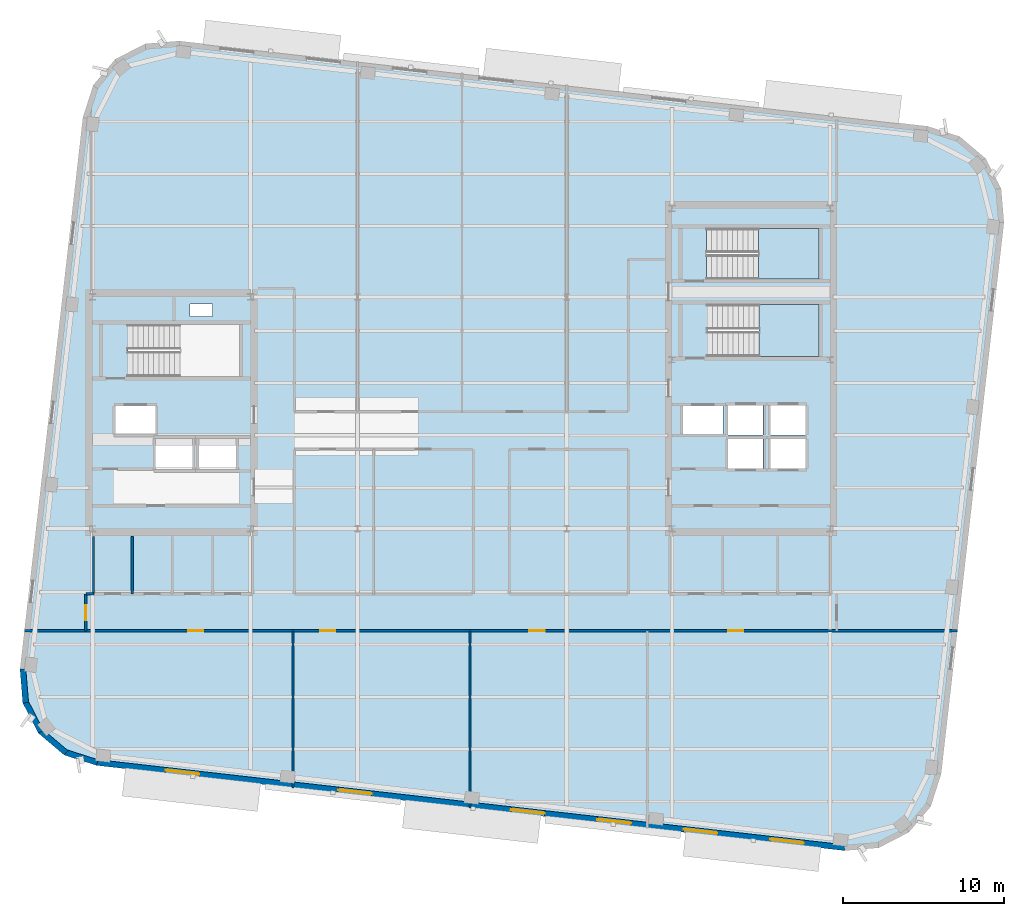
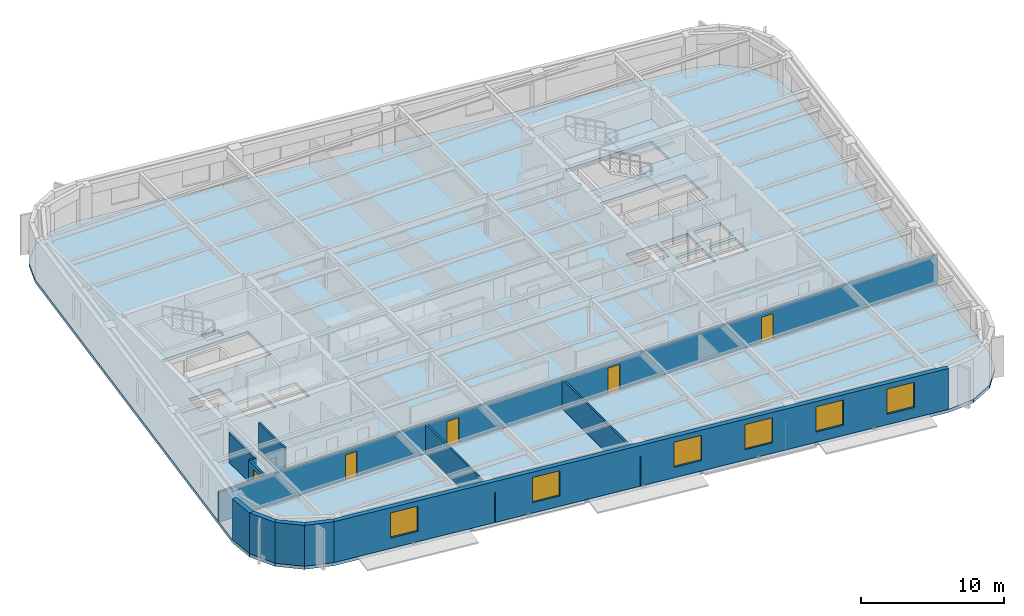
# One storey, part 5 of 14: 12 walls, 6 windows, 5 doors, 3 slabs, 11 openings, 2 elements without a shape of their own.
"""IFC4 building model written with IfcOpenShell, lengths in metres."""

from ifc_helpers import new_model, si_unit, direction, frame, frame_2d, origin, place, context, subcontext, project, spatial, polyline, rectangle, outline, extrude, material, layer, layer_set, type_object, element, fill, aggregate, save


model = new_model("IFC4")

# Units and contexts
model_context = context("Model", 3, precision=1e-05, world=origin(), true_north=direction((0.0, 1.0)))
body_context = subcontext(model_context, "Body", "Model", "MODEL_VIEW")
ifc_project = project(units=[si_unit("LENGTHUNIT", "METRE"), si_unit("AREAUNIT", "SQUARE_METRE"), si_unit("VOLUMEUNIT", "CUBIC_METRE"), si_unit("PLANEANGLEUNIT", "RADIAN"), si_unit("MASSUNIT", "GRAM", prefix="KILO")], contexts=[model_context])

# Site, building, storey
site_placement = place(None, origin())
site = spatial("IfcSite", under=ifc_project, at=site_placement, CompositionType="ELEMENT")
building_placement = place(site_placement, origin())
building = spatial("IfcBuilding", under=site, at=building_placement, Name="Kolvaren Arena Tower", CompositionType="ELEMENT")
storey_placement = place(building_placement, frame((0.0, 0.0, 224.699951171875)))
storey = spatial("IfcBuildingStorey", under=building, at=storey_placement, Name="L54", CompositionType="ELEMENT", Elevation=224.699951171875)

# Stair, slab
ifc_material_1 = material(Name="Concrete 45 MPa", Category="concrete")
stair_type_1 = type_object("IfcStairType", Name="STAIR-CORE-165", PredefinedType="HALF_TURN_STAIR", material=ifc_material_1)
stair_1_placement = place(storey_placement, origin())
stair_1 = element("IfcStair", 1, at=stair_1_placement, inside=storey, type_object=stair_type_1, Name="L54 ST-E1", PredefinedType="HALF_TURN_STAIR")
ifc_layer_1 = layer(ifc_material_1, 0.199951171875)
ifc_layer_set_1 = layer_set([ifc_layer_1], Name="Concrete 45 MPa")
slab_type_1 = type_object("IfcSlabType", Name="SLAB-LAND", PredefinedType="LANDING", material=ifc_layer_set_1)
slab_1_placement = place(storey_placement, frame((0.0, 0.0, 1.675048828125)))
slab_1 = element("IfcSlab", 2, at=slab_1_placement, type_object=slab_type_1, Name="ST-E1 landing 1", PredefinedType="LANDING", context=body_context, shape_type="SweptSolid", body=[
    extrude(outline(polyline([(55.9599609375, 30.14990234375), (59.659912109375, 30.14990234375), (59.659912109375, 33.3798828125), (55.9599609375, 33.3798828125), (55.9599609375, 30.14990234375)])), origin(), (0.0, 0.0, 1.0), 0.199951171875),
])
aggregate(stair_1, [slab_1])

stair_type_2 = type_object("IfcStairType", Name="STAIR-CORE-150", PredefinedType="HALF_TURN_STAIR", material=ifc_material_1)
stair_2_placement = place(storey_placement, origin())
stair_2 = element("IfcStair", 3, at=stair_2_placement, inside=storey, type_object=stair_type_2, Name="L54 ST-E2", PredefinedType="HALF_TURN_STAIR")
slab_2_placement = place(storey_placement, frame((0.0, 0.0, 1.675048828125)))
slab_2 = element("IfcSlab", 4, at=slab_2_placement, type_object=slab_type_1, Name="ST-E2 landing 1", PredefinedType="LANDING", context=body_context, shape_type="SweptSolid", body=[
    extrude(outline(polyline([(55.919921875, 34.949951171875), (59.659912109375, 34.949951171875), (59.659912109375, 38.10009765625), (55.919921875, 38.10009765625), (55.919921875, 34.949951171875)])), origin(), (0.0, 0.0, 1.0), 0.199951171875),
])
aggregate(stair_2, [slab_2])

# Slab
ifc_layer_2 = layer(ifc_material_1, 0.27001953125)
ifc_layer_set_2 = layer_set([ifc_layer_2], Name="Concrete 45 MPa")
slab_type_2 = type_object("IfcSlabType", Name="SLAB-OFF2", PredefinedType="FLOOR", material=ifc_layer_set_2)
slab_3_placement = place(storey_placement, frame((0.0, 0.0, -0.27001953125)))
element("IfcSlab", 5, at=slab_3_placement, inside=storey, type_object=slab_type_2, Name="L54 Primary Structural Slab", PredefinedType="FLOOR", context=body_context, shape_type="SweptSolid", body=[
    extrude(outline(polyline([(61.285400390625, -0.553466796875), (63.38525390625, -0.37890625), (65.25830078125, 0.585693359375), (66.619873046875, 2.194091796875), (67.26220703125, 4.20068359375), (71.16748046875, 38.47900390625), (70.9931640625, 40.57861328125), (70.0283203125, 42.45166015625), (68.42041015625, 43.81298828125), (66.41357421875, 44.455322265625), (19.91455078125, 49.75341796875), (17.814697265625, 49.578857421875), (15.941650390625, 48.6142578125), (14.580078125, 47.006103515625), (13.93798828125, 44.99951171875), (10.032470703125, 10.72119140625), (10.206787109375, 8.621337890625), (11.171630859375, 6.748291015625), (12.77978515625, 5.386962890625), (14.786376953125, 4.74462890625), (61.285400390625, -0.553466796875)]), holes=[polyline([(20.739990234375, 23.135009765625), (18.4599609375, 23.135009765625), (18.4599609375, 25.06494140625), (20.739990234375, 25.06494140625), (20.739990234375, 23.135009765625)]), polyline([(21.159912109375, 23.135009765625), (21.159912109375, 25.06494140625), (23.43994140625, 25.06494140625), (23.43994140625, 23.135009765625), (21.159912109375, 23.135009765625)]), polyline([(56.2099609375, 23.18505859375), (54.030029296875, 23.18505859375), (54.030029296875, 25.014892578125), (56.2099609375, 25.014892578125), (56.2099609375, 23.18505859375)]), polyline([(56.669921875, 23.18505859375), (56.669921875, 25.014892578125), (58.85009765625, 25.014892578125), (58.85009765625, 23.18505859375), (56.669921875, 23.18505859375)]), polyline([(54.030029296875, 25.284912109375), (54.030029296875, 27.114990234375), (56.2099609375, 27.114990234375), (56.2099609375, 25.284912109375), (54.030029296875, 25.284912109375)]), polyline([(58.85009765625, 25.284912109375), (56.669921875, 25.284912109375), (56.669921875, 27.114990234375), (58.85009765625, 27.114990234375), (58.85009765625, 25.284912109375)]), polyline([(15.9599609375, 25.3349609375), (15.9599609375, 27.06494140625), (18.43994140625, 27.06494140625), (18.43994140625, 25.3349609375), (15.9599609375, 25.3349609375)]), polyline([(53.699951171875, 25.3349609375), (51.219970703125, 25.3349609375), (51.219970703125, 27.06494140625), (53.699951171875, 27.06494140625), (53.699951171875, 25.3349609375)]), polyline([(16.735107421875, 28.89990234375), (16.735107421875, 32.1298828125), (23.659912109375, 32.1298828125), (23.659912109375, 28.89990234375), (16.735107421875, 28.89990234375)]), polyline([(52.735107421875, 30.14990234375), (52.735107421875, 33.3798828125), (59.659912109375, 33.3798828125), (59.659912109375, 30.14990234375), (52.735107421875, 30.14990234375)]), polyline([(20.60009765625, 32.6201171875), (20.60009765625, 33.39990234375), (22.0, 33.39990234375), (22.0, 32.6201171875), (20.60009765625, 32.6201171875)]), polyline([(52.695068359375, 34.949951171875), (52.695068359375, 38.10009765625), (59.659912109375, 38.10009765625), (59.659912109375, 34.949951171875), (52.695068359375, 34.949951171875)])]), origin(), (0.0, 0.0, 1.0), 0.27001953125),
])

# Wall, openings, doors
ifc_material_2 = material(Name="Gypsum board acoustic assembly", Category="gypsum")
ifc_layer_3 = layer(ifc_material_2, 0.159912109375)
ifc_layer_set_3 = layer_set([ifc_layer_3], Name="Gypsum board acoustic assembly")
wall_type_1 = type_object("IfcWallType", Name="CORR-160", PredefinedType="PARTITIONING", material=ifc_layer_set_3)
wall_1_placement = place(storey_placement, frame((10.303466796875, 13.10009765625, 0.0), z_axis=(0.0, 0.0, 1.0), x_axis=(1.0, 0.0, 0.0)))
wall_1 = element("IfcWall", 6, at=wall_1_placement, inside=storey, type_object=wall_type_1, Name="Interior Partition Wall (L54)", PredefinedType="PARTITIONING", context=body_context, shape_type="SweptSolid", body=[
    extrude(rectangle(XDim=57.97265625, YDim=0.159912109375, at=frame_2d((28.986328125, 0.0))), origin(), (0.0, 0.0, 1.0), 2.5400390625),
])
opening_1_placement = place(wall_1_placement, frame((10.171630859375, 0.0, 0.0)))
opening_1 = element("IfcOpeningElement", 7, at=opening_1_placement, cuts=wall_1, Name="Opening D05", PredefinedType="OPENING", context=body_context, shape_type="SweptSolid", body=[
    extrude(rectangle(XDim=0.949951171875, YDim=2.14990234375, at=frame_2d((0.47509765625, 1.074951171875))), frame((0.0, 0.08984375, 0.0), z_axis=(0.0, -1.0, 0.0), x_axis=(1.0, 0.0, 0.0)), (0.0, 0.0, 1.0), 0.179931640625),
])
opening_2_placement = place(wall_1_placement, frame((18.37158203125, 0.0, 0.0)))
opening_2 = element("IfcOpeningElement", 8, at=opening_2_placement, cuts=wall_1, Name="Opening D05", PredefinedType="OPENING", context=body_context, shape_type="SweptSolid", body=[
    extrude(rectangle(XDim=0.949951171875, YDim=2.14990234375, at=frame_2d((0.47509765625, 1.074951171875))), frame((0.0, 0.08984375, 0.0), z_axis=(0.0, -1.0, 0.0), x_axis=(1.0, 0.0, 0.0)), (0.0, 0.0, 1.0), 0.179931640625),
])
opening_3_placement = place(wall_1_placement, frame((31.37158203125, 0.0, 0.0)))
opening_3 = element("IfcOpeningElement", 9, at=opening_3_placement, cuts=wall_1, Name="Opening D05", PredefinedType="OPENING", context=body_context, shape_type="SweptSolid", body=[
    extrude(rectangle(XDim=0.949951171875, YDim=2.14990234375, at=frame_2d((0.47509765625, 1.074951171875))), frame((0.0, 0.08984375, 0.0), z_axis=(0.0, -1.0, 0.0), x_axis=(1.0, 0.0, 0.0)), (0.0, 0.0, 1.0), 0.179931640625),
])
opening_4_placement = place(wall_1_placement, frame((43.7216796875, 0.0, 0.0)))
opening_4 = element("IfcOpeningElement", 10, at=opening_4_placement, cuts=wall_1, Name="Opening D05", PredefinedType="OPENING", context=body_context, shape_type="SweptSolid", body=[
    extrude(rectangle(XDim=0.949951171875, YDim=2.14990234375, at=frame_2d((0.47509765625, 1.074951171875))), frame((0.0, 0.08984375, 0.0), z_axis=(0.0, -1.0, 0.0), x_axis=(1.0, 0.0, 0.0)), (0.0, 0.0, 1.0), 0.179931640625),
])
ifc_material_3 = material(Name="Solid-core oak acoustic office door", Category="wood")
door_type = type_object("IfcDoorType", Name="DOOR-OF-095", OperationType="NOTDEFINED", PredefinedType="DOOR", material=ifc_material_3)
door_1_placement = place(opening_1_placement, origin())
door_1 = element("IfcDoor", 11, at=door_1_placement, inside=storey, type_object=door_type, Name="Executive Office Door (L54)", OperationType="SINGLE_SWING_RIGHT", OverallHeight=2.14990234375, OverallWidth=0.949951171875, PredefinedType="DOOR", context=body_context, shape_type="SweptSolid", body=[
    extrude(rectangle(XDim=0.949951171875, YDim=2.14990234375, at=frame_2d((0.47509765625, 1.074951171875))), frame((0.0, 0.02490234375, 0.0), z_axis=(0.0, -1.0, 0.0), x_axis=(1.0, 0.0, 0.0)), (0.0, 0.0, 1.0), 0.050048828125),
])
fill(opening_1, door_1)
door_2_placement = place(opening_2_placement, origin())
door_2 = element("IfcDoor", 12, at=door_2_placement, inside=storey, type_object=door_type, Name="Executive Office Door (L54)", OperationType="SINGLE_SWING_LEFT", OverallHeight=2.14990234375, OverallWidth=0.949951171875, PredefinedType="DOOR", context=body_context, shape_type="SweptSolid", body=[
    extrude(rectangle(XDim=0.949951171875, YDim=2.14990234375, at=frame_2d((0.47509765625, 1.074951171875))), frame((0.0, 0.02490234375, 0.0), z_axis=(0.0, -1.0, 0.0), x_axis=(1.0, 0.0, 0.0)), (0.0, 0.0, 1.0), 0.050048828125),
])
fill(opening_2, door_2)
door_3_placement = place(opening_3_placement, origin())
door_3 = element("IfcDoor", 13, at=door_3_placement, inside=storey, type_object=door_type, Name="Open Plan Office Door (L54)", OperationType="SINGLE_SWING_RIGHT", OverallHeight=2.14990234375, OverallWidth=0.949951171875, PredefinedType="DOOR", context=body_context, shape_type="SweptSolid", body=[
    extrude(rectangle(XDim=0.949951171875, YDim=2.14990234375, at=frame_2d((0.47509765625, 1.074951171875))), frame((0.0, 0.02490234375, 0.0), z_axis=(0.0, -1.0, 0.0), x_axis=(1.0, 0.0, 0.0)), (0.0, 0.0, 1.0), 0.050048828125),
])
fill(opening_3, door_3)
door_4_placement = place(opening_4_placement, origin())
door_4 = element("IfcDoor", 14, at=door_4_placement, inside=storey, type_object=door_type, Name="Corporate Project Office Door (L54)", OperationType="SINGLE_SWING_LEFT", OverallHeight=2.14990234375, OverallWidth=0.949951171875, PredefinedType="DOOR", context=body_context, shape_type="SweptSolid", body=[
    extrude(rectangle(XDim=0.949951171875, YDim=2.14990234375, at=frame_2d((0.47509765625, 1.074951171875))), frame((0.0, 0.02490234375, 0.0), z_axis=(0.0, -1.0, 0.0), x_axis=(1.0, 0.0, 0.0)), (0.0, 0.0, 1.0), 0.050048828125),
])
fill(opening_4, door_4)

# Wall, opening, door
wall_2_placement = place(storey_placement, frame((14.1201171875, 13.10009765625, 0.0), z_axis=(0.0, 0.0, 1.0), x_axis=(0.0, 1.0, 0.0)))
wall_2 = element("IfcWall", 15, at=wall_2_placement, inside=storey, type_object=wall_type_1, Name="Interior Partition Wall (L54)", PredefinedType="PARTITIONING", context=body_context, shape_type="SweptSolid", body=[
    extrude(rectangle(XDim=2.2998046875, YDim=0.159912109375, at=frame_2d((1.14990234375, 0.0))), origin(), (0.0, 0.0, 1.0), 2.5400390625),
])
opening_5_placement = place(wall_2_placement, frame((0.64990234375, 0.0, 0.0)))
opening_5 = element("IfcOpeningElement", 16, at=opening_5_placement, cuts=wall_2, Name="Opening D05", PredefinedType="OPENING", context=body_context, shape_type="SweptSolid", body=[
    extrude(rectangle(XDim=0.949951171875, YDim=2.14990234375, at=frame_2d((0.47509765625, 1.074951171875))), frame((0.0, 0.08984375, 0.0), z_axis=(0.0, -1.0, 0.0), x_axis=(1.0, 0.0, 0.0)), (0.0, 0.0, 1.0), 0.179931640625),
])
door_5_placement = place(opening_5_placement, origin())
door_5 = element("IfcDoor", 17, at=door_5_placement, inside=storey, type_object=door_type, Name="West Wing Office Door (L54)", OperationType="SINGLE_SWING_LEFT", OverallHeight=2.14990234375, OverallWidth=0.949951171875, PredefinedType="DOOR", context=body_context, shape_type="SweptSolid", body=[
    extrude(rectangle(XDim=0.949951171875, YDim=2.14990234375, at=frame_2d((0.47509765625, 1.074951171875))), frame((0.0, 0.02490234375, 0.0), z_axis=(0.0, -1.0, 0.0), x_axis=(1.0, 0.0, 0.0)), (0.0, 0.0, 1.0), 0.050048828125),
])
fill(opening_5, door_5)

# Walls
wall_3_placement = place(storey_placement, frame((14.1201171875, 15.39990234375, 0.0), z_axis=(0.0, 0.0, 1.0), x_axis=(1.0, 0.0, 0.0)))
element("IfcWall", 18, at=wall_3_placement, inside=storey, type_object=wall_type_1, Name="Interior Partition Wall (L54)", PredefinedType="PARTITIONING", context=body_context, shape_type="SweptSolid", body=[
    extrude(rectangle(XDim=0.5, YDim=0.159912109375, at=frame_2d((0.25, 0.0))), origin(), (0.0, 0.0, 1.0), 2.5400390625),
])
ifc_material_4 = material(Name="Precast concrete C50/60", Category="concrete")
ifc_layer_4 = layer(ifc_material_4, 0.360107421875)
ifc_layer_set_4 = layer_set([ifc_layer_4], Name="Precast concrete C50/60")
wall_type_2 = type_object("IfcWallType", Name="EXT-PIER2", PredefinedType="SOLIDWALL", material=ifc_layer_set_4)
wall_4_placement = place(storey_placement, frame((10.38623046875, 8.63623046875, 0.0), z_axis=(0.0, 0.0, 1.0), x_axis=(-0.082729038891, 0.996572077737, 0.0)))
element("IfcWall", 19, at=wall_4_placement, inside=storey, type_object=wall_type_2, Name="Exterior Precast Masonry-Frame Wall (L54)", PredefinedType="SOLIDWALL", context=body_context, shape_type="SweptSolid", body=[
    extrude(rectangle(XDim=2.107177734375, YDim=0.360107421875, at=frame_2d((1.0537109375, 0.0))), origin(), (0.0, 0.0, 1.0), 3.47998046875),
])
for number, where, z_axis, x_axis, name in (
    (20, (11.33154296875, 6.830810546875, 0.0), (0.0, 0.0, 1.0), (-0.457934390142, 0.888985992199, 0.0), "Exterior Precast Masonry-Frame Wall (L54)"),
    (21, (12.89599609375, 5.5244140625, 0.0), (0.0, 0.0, 1.0), (-0.763250018691, 0.646103249464, 0.0), "Exterior Precast Masonry-Frame Wall (L54)"),
    (22, (14.84130859375, 4.916015625, 0.0), (0.0, 0.0, 1.0), (-0.952393196904, 0.304872429864, 0.0), "Exterior Precast Masonry-Frame Wall (L54)"),
):
    element("IfcWall", number, at=place(storey_placement, frame(where, z_axis=z_axis, x_axis=x_axis)), inside=storey, type_object=wall_type_2, Name=name, PredefinedType="SOLIDWALL", context=body_context, shape_type="SweptSolid", body=[
        extrude(rectangle(XDim=2.10693359375, YDim=0.360107421875, at=frame_2d((1.053466796875, 0.0))), origin(), (0.0, 0.0, 1.0), 3.47998046875),
    ])

# Wall, openings, windows
wall_5_placement = place(storey_placement, frame((61.305908203125, -0.37451171875, 0.0), z_axis=(0.0, 0.0, 1.0), x_axis=(-0.993571958919, 0.113202307616, 0.0)))
wall_5 = element("IfcWall", 23, at=wall_5_placement, inside=storey, type_object=wall_type_2, Name="Exterior Precast Masonry-Frame Wall (L54)", PredefinedType="SOLIDWALL", context=body_context, shape_type="SweptSolid", body=[
    extrude(rectangle(XDim=46.7998046875, YDim=0.360107421875, at=frame_2d((23.39990234375, 0.0))), origin(), (0.0, 0.0, 1.0), 3.47998046875),
])
opening_6_placement = place(wall_5_placement, frame((2.60009765625, 0.0, 0.8798828125)))
opening_6 = element("IfcOpeningElement", 24, at=opening_6_placement, cuts=wall_5, Name="Opening W01", PredefinedType="OPENING", context=body_context, shape_type="SweptSolid", body=[
    extrude(rectangle(XDim=2.10009765625, YDim=2.14990234375, at=frame_2d((1.050048828125, 1.074951171875))), frame((0.0, 0.18994140625, 0.0), z_axis=(0.0, -1.0, 0.0), x_axis=(1.0, 0.0, 0.0)), (0.0, 0.0, 1.0), 0.380126953125),
])
opening_7_placement = place(wall_5_placement, frame((8.0, 0.0, 0.8798828125)))
opening_7 = element("IfcOpeningElement", 25, at=opening_7_placement, cuts=wall_5, Name="Opening W01", PredefinedType="OPENING", context=body_context, shape_type="SweptSolid", body=[
    extrude(rectangle(XDim=2.10009765625, YDim=2.14990234375, at=frame_2d((1.050048828125, 1.074951171875))), frame((0.0, 0.18994140625, 0.0), z_axis=(0.0, -1.0, 0.0), x_axis=(1.0, 0.0, 0.0)), (0.0, 0.0, 1.0), 0.380126953125),
])
opening_8_placement = place(wall_5_placement, frame((13.39990234375, 0.0, 0.8798828125)))
opening_8 = element("IfcOpeningElement", 26, at=opening_8_placement, cuts=wall_5, Name="Opening W01", PredefinedType="OPENING", context=body_context, shape_type="SweptSolid", body=[
    extrude(rectangle(XDim=2.10009765625, YDim=2.14990234375, at=frame_2d((1.050048828125, 1.074951171875))), frame((0.0, 0.18994140625, 0.0), z_axis=(0.0, -1.0, 0.0), x_axis=(1.0, 0.0, 0.0)), (0.0, 0.0, 1.0), 0.380126953125),
])
opening_9_placement = place(wall_5_placement, frame((18.800048828125, 0.0, 0.8798828125)))
opening_9 = element("IfcOpeningElement", 27, at=opening_9_placement, cuts=wall_5, Name="Opening W01", PredefinedType="OPENING", context=body_context, shape_type="SweptSolid", body=[
    extrude(rectangle(XDim=2.10009765625, YDim=2.14990234375, at=frame_2d((1.050048828125, 1.074951171875))), frame((0.0, 0.18994140625, 0.0), z_axis=(0.0, -1.0, 0.0), x_axis=(1.0, 0.0, 0.0)), (0.0, 0.0, 1.0), 0.380126953125),
])
opening_10_placement = place(wall_5_placement, frame((29.60009765625, 0.0, 0.8798828125)))
opening_10 = element("IfcOpeningElement", 28, at=opening_10_placement, cuts=wall_5, Name="Opening W01", PredefinedType="OPENING", context=body_context, shape_type="SweptSolid", body=[
    extrude(rectangle(XDim=2.10009765625, YDim=2.14990234375, at=frame_2d((1.050048828125, 1.074951171875))), frame((0.0, 0.18994140625, 0.0), z_axis=(0.0, -1.0, 0.0), x_axis=(1.0, 0.0, 0.0)), (0.0, 0.0, 1.0), 0.380126953125),
])
opening_11_placement = place(wall_5_placement, frame((40.39990234375, 0.0, 0.8798828125)))
opening_11 = element("IfcOpeningElement", 29, at=opening_11_placement, cuts=wall_5, Name="Opening W01", PredefinedType="OPENING", context=body_context, shape_type="SweptSolid", body=[
    extrude(rectangle(XDim=2.10009765625, YDim=2.14990234375, at=frame_2d((1.050048828125, 1.074951171875))), frame((0.0, 0.18994140625, 0.0), z_axis=(0.0, -1.0, 0.0), x_axis=(1.0, 0.0, 0.0)), (0.0, 0.0, 1.0), 0.380126953125),
])
ifc_material_5 = material(Name="Triple-glazed low-E aluminium window", Category="aluminium")
window_type = type_object("IfcWindowType", Name="WIN-OFF-A", PartitioningType="DOUBLE_PANEL_VERTICAL", PredefinedType="WINDOW", material=ifc_material_5)
window_1_placement = place(opening_6_placement, origin())
window_1 = element("IfcWindow", 30, at=window_1_placement, inside=storey, type_object=window_type, Name="Punched Precast-Pier Window (L54)", OverallHeight=2.14990234375, OverallWidth=2.10009765625, PartitioningType="DOUBLE_PANEL_VERTICAL", PredefinedType="WINDOW", context=body_context, shape_type="SweptSolid", body=[
    extrude(rectangle(XDim=2.10009765625, YDim=2.14990234375, at=frame_2d((1.050048828125, 1.074951171875))), frame((0.0, 0.030029296875, 0.0), z_axis=(0.0, -1.0, 0.0), x_axis=(1.0, 0.0, 0.0)), (0.0, 0.0, 1.0), 0.06005859375),
])
fill(opening_6, window_1)
window_2_placement = place(opening_7_placement, origin())
window_2 = element("IfcWindow", 31, at=window_2_placement, inside=storey, type_object=window_type, Name="Punched Precast-Pier Window (L54)", OverallHeight=2.14990234375, OverallWidth=2.10009765625, PartitioningType="DOUBLE_PANEL_VERTICAL", PredefinedType="WINDOW", context=body_context, shape_type="SweptSolid", body=[
    extrude(rectangle(XDim=2.10009765625, YDim=2.14990234375, at=frame_2d((1.050048828125, 1.074951171875))), frame((0.0, 0.030029296875, 0.0), z_axis=(0.0, -1.0, 0.0), x_axis=(1.0, 0.0, 0.0)), (0.0, 0.0, 1.0), 0.06005859375),
])
fill(opening_7, window_2)
window_3_placement = place(opening_8_placement, origin())
window_3 = element("IfcWindow", 32, at=window_3_placement, inside=storey, type_object=window_type, Name="Punched Precast-Pier Window (L54)", OverallHeight=2.14990234375, OverallWidth=2.10009765625, PartitioningType="DOUBLE_PANEL_VERTICAL", PredefinedType="WINDOW", context=body_context, shape_type="SweptSolid", body=[
    extrude(rectangle(XDim=2.10009765625, YDim=2.14990234375, at=frame_2d((1.050048828125, 1.074951171875))), frame((0.0, 0.030029296875, 0.0), z_axis=(0.0, -1.0, 0.0), x_axis=(1.0, 0.0, 0.0)), (0.0, 0.0, 1.0), 0.06005859375),
])
fill(opening_8, window_3)
window_4_placement = place(opening_9_placement, origin())
window_4 = element("IfcWindow", 33, at=window_4_placement, inside=storey, type_object=window_type, Name="Punched Precast-Pier Window (L54)", OverallHeight=2.14990234375, OverallWidth=2.10009765625, PartitioningType="DOUBLE_PANEL_VERTICAL", PredefinedType="WINDOW", context=body_context, shape_type="SweptSolid", body=[
    extrude(rectangle(XDim=2.10009765625, YDim=2.14990234375, at=frame_2d((1.050048828125, 1.074951171875))), frame((0.0, 0.030029296875, 0.0), z_axis=(0.0, -1.0, 0.0), x_axis=(1.0, 0.0, 0.0)), (0.0, 0.0, 1.0), 0.06005859375),
])
fill(opening_9, window_4)
window_5_placement = place(opening_10_placement, origin())
window_5 = element("IfcWindow", 34, at=window_5_placement, inside=storey, type_object=window_type, Name="Punched Precast-Pier Window (L54)", OverallHeight=2.14990234375, OverallWidth=2.10009765625, PartitioningType="DOUBLE_PANEL_VERTICAL", PredefinedType="WINDOW", context=body_context, shape_type="SweptSolid", body=[
    extrude(rectangle(XDim=2.10009765625, YDim=2.14990234375, at=frame_2d((1.050048828125, 1.074951171875))), frame((0.0, 0.030029296875, 0.0), z_axis=(0.0, -1.0, 0.0), x_axis=(1.0, 0.0, 0.0)), (0.0, 0.0, 1.0), 0.06005859375),
])
fill(opening_10, window_5)
window_6_placement = place(opening_11_placement, origin())
window_6 = element("IfcWindow", 35, at=window_6_placement, inside=storey, type_object=window_type, Name="Punched Precast-Pier Window (L54)", OverallHeight=2.14990234375, OverallWidth=2.10009765625, PartitioningType="DOUBLE_PANEL_VERTICAL", PredefinedType="WINDOW", context=body_context, shape_type="SweptSolid", body=[
    extrude(rectangle(XDim=2.10009765625, YDim=2.14990234375, at=frame_2d((1.050048828125, 1.074951171875))), frame((0.0, 0.030029296875, 0.0), z_axis=(0.0, -1.0, 0.0), x_axis=(1.0, 0.0, 0.0)), (0.0, 0.0, 1.0), 0.06005859375),
])
fill(opening_11, window_6)

# Walls
ifc_material_6 = material(Name="Gypsum board partition assembly", Category="gypsum")
ifc_layer_5 = layer(ifc_material_6, 0.135009765625)
ifc_layer_set_5 = layer_set([ifc_layer_5], Name="Gypsum board partition assembly")
wall_type_3 = type_object("IfcWallType", Name="PART-135", PredefinedType="PARTITIONING", material=ifc_layer_set_5)
wall_6_placement = place(storey_placement, frame((27.0, 3.35302734375, 0.0), z_axis=(0.0, 0.0, 1.0), x_axis=(0.0, 1.0, 0.0)))
element("IfcWall", 36, at=wall_6_placement, inside=storey, type_object=wall_type_3, Name="Interior Partition Wall (L54)", PredefinedType="PARTITIONING", context=body_context, shape_type="SweptSolid", body=[
    extrude(rectangle(XDim=9.7470703125, YDim=0.135009765625, at=frame_2d((4.87353515625, 0.0))), origin(), (0.0, 0.0, 1.0), 2.5400390625),
])
wall_7_placement = place(storey_placement, frame((38.0, 2.099609375, 0.0), z_axis=(0.0, 0.0, 1.0), x_axis=(0.0, 1.0, 0.0)))
element("IfcWall", 37, at=wall_7_placement, inside=storey, type_object=wall_type_3, Name="Interior Partition Wall (L54)", PredefinedType="PARTITIONING", context=body_context, shape_type="SweptSolid", body=[
    extrude(rectangle(XDim=11.00048828125, YDim=0.135009765625, at=frame_2d((5.500244140625, 0.0))), origin(), (0.0, 0.0, 1.0), 2.5400390625),
])
ifc_material_7 = material(Name="Moisture-resistant gypsum assembly", Category="gypsum")
ifc_layer_6 = layer(ifc_material_7, 0.14990234375)
ifc_layer_set_6 = layer_set([ifc_layer_6], Name="Moisture-resistant gypsum assembly")
wall_type_4 = type_object("IfcWallType", Name="WETW-150", PredefinedType="PARTITIONING", material=ifc_layer_set_6)
for number, where, z_axis, x_axis, name in (
    (38, (17.0, 15.39990234375, 0.0), (0.0, 0.0, 1.0), (0.0, 1.0, 0.0), "Interior Partition Wall (L54)"),
    (39, (14.60009765625, 15.39990234375, 0.0), (0.0, 0.0, 1.0), (0.0, 1.0, 0.0), "Interior Partition Wall (L54)"),
):
    element("IfcWall", number, at=place(storey_placement, frame(where, z_axis=z_axis, x_axis=x_axis)), inside=storey, type_object=wall_type_4, Name=name, PredefinedType="PARTITIONING", context=body_context, shape_type="SweptSolid", body=[
        extrude(rectangle(XDim=3.580078125, YDim=0.14990234375, at=frame_2d((1.7900390625, 0.0))), origin(), (0.0, 0.0, 1.0), 2.5400390625),
    ])

save(model, "model.ifc")
